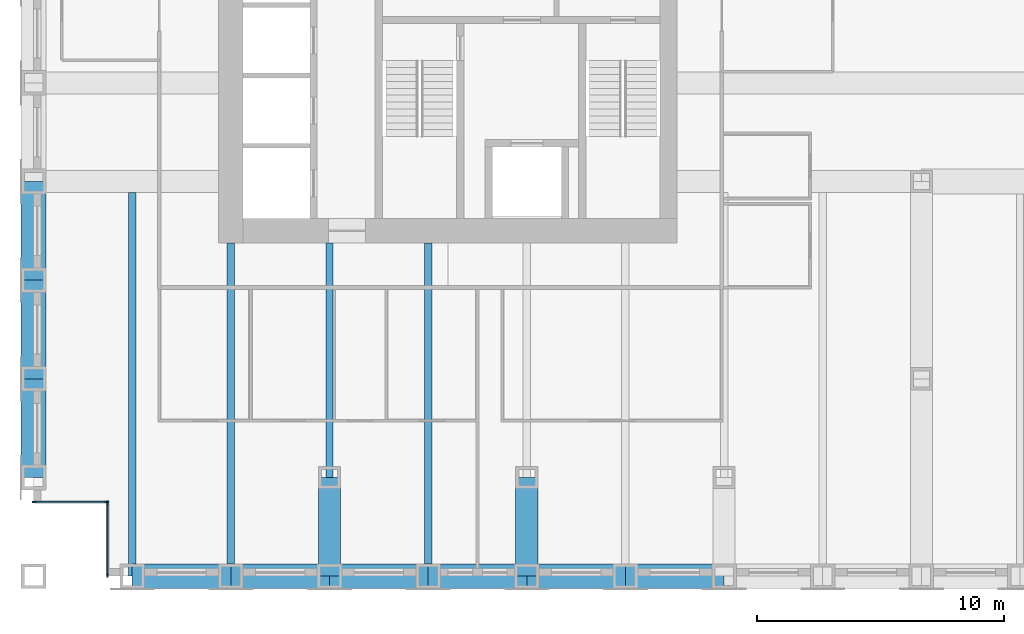
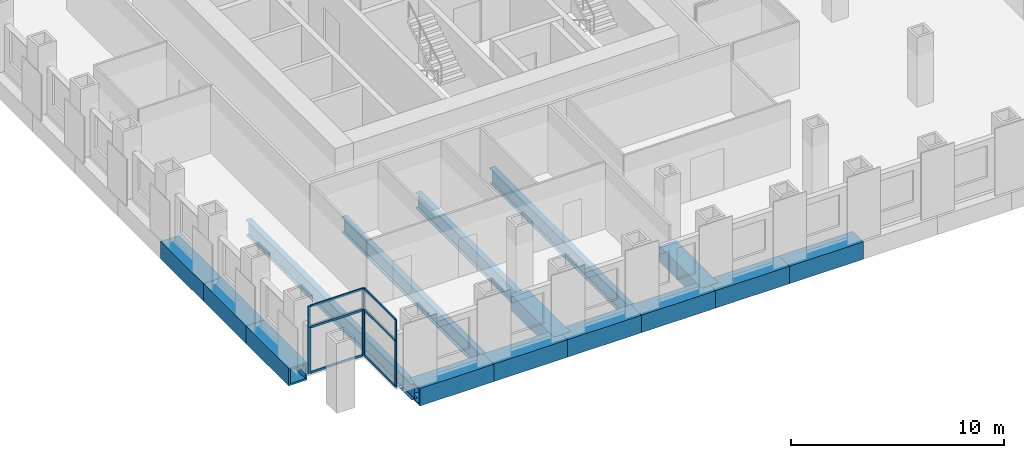
# One storey, part 2 of 16: 16 members, 15 beams, 4 elements without a shape of their own.
"""IFC4 building model written with IfcOpenShell, lengths in metres."""

from ifc_helpers import new_model, si_unit, direction, frame, origin, origin_2d, place, context, subcontext, project, spatial, rectangle, hollow_rectangle, i_section, extrude, material, material_profile, profile_set, type_object, element, aggregate, save


model = new_model("IFC4")

# Units and contexts
model_context = context("Model", 3, precision=1e-05, world=origin(), true_north=direction((0.0, 1.0)))
body_context = subcontext(model_context, "Body", "Model", "MODEL_VIEW")
ifc_project = project(units=[si_unit("LENGTHUNIT", "METRE"), si_unit("AREAUNIT", "SQUARE_METRE"), si_unit("VOLUMEUNIT", "CUBIC_METRE"), si_unit("PLANEANGLEUNIT", "RADIAN"), si_unit("MASSUNIT", "GRAM", prefix="KILO")], contexts=[model_context])

# Site, building, storey
site_placement = place(None, origin())
site = spatial("IfcSite", under=ifc_project, at=site_placement, CompositionType="ELEMENT")
building_placement = place(site_placement, origin())
building = spatial("IfcBuilding", under=site, at=building_placement, Name="Rimbunsela Tower", CompositionType="ELEMENT")
storey_placement = place(building_placement, frame((0.0, 0.0, 133.39990234375)))
storey = spatial("IfcBuildingStorey", under=building, at=storey_placement, Name="L32", CompositionType="ELEMENT", Elevation=133.39990234375)

# Beams
ifc_material_1 = material(Name="Steel BJ 55 (fy 410 MPa)", Category="steel")
ifc_material_profile_1 = material_profile(ifc_material_1, hollow_rectangle(XDim=1.0, YDim=1.0, WallThickness=0.10009765625, at=origin_2d()), Name="BOX 1000x1000x100")
ifc_profile_set_1 = profile_set([ifc_material_profile_1], Name="Steel BJ 55 (fy 410 MPa)")
beam_type_1 = type_object("IfcBeamType", Name="Beam BOX 1000x1000x100", PredefinedType="BEAM", material=ifc_profile_set_1)
for number, where, z_axis, x_axis, name in (
    (1, (10.0, 8.0, -0.64990234375), (0.0, 1.0, 0.0), (-1.0, 0.0, 0.0), "Beam B3 L32"),
    (2, (10.0, 12.0, -0.64990234375), (0.0, 1.0, 0.0), (-1.0, 0.0, 0.0), "Beam B3 L32"),
    (3, (10.0, 16.0, -0.64990234375), (0.0, 1.0, 0.0), (-1.0, 0.0, 0.0), "Beam B3 L32"),
    (4, (14.0, 4.0, -0.64990234375), (1.0, 0.0, 0.0), (0.0, 1.0, 0.0), "Beam B3 L32"),
    (5, (18.0, 4.0, -0.64990234375), (1.0, 0.0, 0.0), (0.0, 1.0, 0.0), "Beam B3 L32"),
    (6, (22.0, 4.0, -0.64990234375), (1.0, 0.0, 0.0), (0.0, 1.0, 0.0), "Beam B3 L32"),
    (7, (26.0, 4.0, -0.64990234375), (1.0, 0.0, 0.0), (0.0, 1.0, 0.0), "Beam B3 L32"),
    (8, (30.0, 4.0, -0.64990234375), (1.0, 0.0, 0.0), (0.0, 1.0, 0.0), "Beam B3 L32"),
    (9, (34.0, 4.0, -0.64990234375), (1.0, 0.0, 0.0), (0.0, 1.0, 0.0), "Beam B3 L32"),
):
    element("IfcBeam", number, at=place(storey_placement, frame(where, z_axis=z_axis, x_axis=x_axis)), inside=storey, type_object=beam_type_1, Name=name, PredefinedType="BEAM", context=body_context, shape_type="SweptSolid", body=[
        extrude(hollow_rectangle(XDim=1.0, YDim=1.0, WallThickness=0.10009765625, at=origin_2d()), origin(), (0.0, 0.0, 1.0), 4.0),
    ])
ifc_material_2 = material(Name="Steel BJ 55 (fy 410 MPa)", Category="steel")
ifc_material_profile_2 = material_profile(ifc_material_2, hollow_rectangle(XDim=0.89990234375, YDim=0.89990234375, WallThickness=0.06005859375, at=origin_2d()), Name="BOX 900x900x60")
ifc_profile_set_2 = profile_set([ifc_material_profile_2], Name="Steel BJ 55 (fy 410 MPa)")
beam_type_2 = type_object("IfcBeamType", Name="Beam BOX 900x900x60", PredefinedType="BEAM", material=ifc_profile_set_2)
for number, where, z_axis, x_axis, name in (
    (10, (22.0, 4.0, -0.599853515625), (0.0, 1.0, 0.0), (-1.0, 0.0, 0.0), "Beam B1 L32"),
    (11, (30.0, 4.0, -0.599853515625), (0.0, 1.0, 0.0), (-1.0, 0.0, 0.0), "Beam B1 L32"),
):
    element("IfcBeam", number, at=place(storey_placement, frame(where, z_axis=z_axis, x_axis=x_axis)), inside=storey, type_object=beam_type_2, Name=name, PredefinedType="BEAM", context=body_context, shape_type="SweptSolid", body=[
        extrude(hollow_rectangle(XDim=0.89990234375, YDim=0.89990234375, WallThickness=0.06005859375, at=origin_2d()), origin(), (0.0, 0.0, 1.0), 4.0),
    ])
ifc_material_3 = material(Name="Steel BJ 55 (fy 410 MPa)", Category="steel")
ifc_material_profile_3 = material_profile(ifc_material_3, i_section(OverallWidth=0.300048828125, OverallDepth=0.89990234375, WebThickness=0.01611328125, FlangeThickness=0.028076171875, FilletRadius=0.028076171875, at=origin_2d()), Name="H 900x300x16x28")
ifc_profile_set_3 = profile_set([ifc_material_profile_3], Name="Steel BJ 55 (fy 410 MPa)")
beam_type_3 = type_object("IfcBeamType", Name="Beam H 900x300x16x28", PredefinedType="BEAM", material=ifc_profile_set_3)
beam_1_placement = place(storey_placement, frame((14.0, 4.0, -0.599853515625), z_axis=(0.0, 1.0, 0.0), x_axis=(-1.0, 0.0, 0.0)))
element("IfcBeam", 12, at=beam_1_placement, inside=storey, type_object=beam_type_3, Name="Beam B2 L32", PredefinedType="BEAM", context=body_context, shape_type="SweptSolid", body=[
    extrude(i_section(OverallWidth=0.300048828125, OverallDepth=0.89990234375, WebThickness=0.01611328125, FlangeThickness=0.028076171875, FilletRadius=0.028076171875, at=origin_2d()), origin(), (0.0, 0.0, 1.0), 15.550048828125),
])
beam_2_placement = place(storey_placement, frame((18.0, 4.0, -0.599853515625), z_axis=(0.0, 1.0, 0.0), x_axis=(-1.0, 0.0, 0.0)))
element("IfcBeam", 13, at=beam_2_placement, inside=storey, type_object=beam_type_3, Name="Beam B2 L32", PredefinedType="BEAM", context=body_context, shape_type="SweptSolid", body=[
    extrude(i_section(OverallWidth=0.300048828125, OverallDepth=0.89990234375, WebThickness=0.01611328125, FlangeThickness=0.028076171875, FilletRadius=0.028076171875, at=origin_2d()), origin(), (0.0, 0.0, 1.0), 13.5),
])
beam_3_placement = place(storey_placement, frame((22.0, 8.0, -0.599853515625), z_axis=(0.0, 1.0, 0.0), x_axis=(-1.0, 0.0, 0.0)))
element("IfcBeam", 14, at=beam_3_placement, inside=storey, type_object=beam_type_3, Name="Beam B2 L32", PredefinedType="BEAM", context=body_context, shape_type="SweptSolid", body=[
    extrude(i_section(OverallWidth=0.300048828125, OverallDepth=0.89990234375, WebThickness=0.01611328125, FlangeThickness=0.028076171875, FilletRadius=0.028076171875, at=origin_2d()), origin(), (0.0, 0.0, 1.0), 9.5),
])
beam_4_placement = place(storey_placement, frame((26.0, 4.0, -0.599853515625), z_axis=(0.0, 1.0, 0.0), x_axis=(-1.0, 0.0, 0.0)))
element("IfcBeam", 15, at=beam_4_placement, inside=storey, type_object=beam_type_3, Name="Beam B2 L32", PredefinedType="BEAM", context=body_context, shape_type="SweptSolid", body=[
    extrude(i_section(OverallWidth=0.300048828125, OverallDepth=0.89990234375, WebThickness=0.01611328125, FlangeThickness=0.028076171875, FilletRadius=0.028076171875, at=origin_2d()), origin(), (0.0, 0.0, 1.0), 13.5),
])

# Curtain wall, members
ifc_material_4 = material(Name="Aluminium curtain wall", Category="aluminium")
curtain_wall_type_1 = type_object("IfcCurtainWallType", Name="Corner glazing", PredefinedType="USERDEFINED", material=ifc_material_4)
curtain_wall_1_placement = place(storey_placement, origin())
curtain_wall_1 = element("IfcCurtainWall", 16, at=curtain_wall_1_placement, inside=storey, type_object=curtain_wall_type_1, Name="Corner glazing L32", ObjectType="CORNER GLAZING", PredefinedType="USERDEFINED")
ifc_material_5 = material(Name="Aluminium mullion", Category="aluminium")
ifc_material_profile_4 = material_profile(ifc_material_5, rectangle(XDim=0.06005859375, YDim=0.159912109375, at=origin_2d()), Name="Mullion 60x160")
ifc_profile_set_4 = profile_set([ifc_material_profile_4], Name="Aluminium mullion")
member_type_1 = type_object("IfcMemberType", Name="Curtain wall mullion 60x160", PredefinedType="MULLION", material=ifc_profile_set_4)
member_1_placement = place(storey_placement, frame((10.030029296875, 7.0, 0.0), z_axis=(0.0, 0.0, 1.0), x_axis=(0.0, 1.0, 0.0)))
member_1 = element("IfcMember", 17, at=member_1_placement, type_object=member_type_1, Name="CW5 mullion 1", PredefinedType="MULLION", context=body_context, shape_type="SweptSolid", body=[
    extrude(rectangle(XDim=0.06005859375, YDim=0.159912109375, at=origin_2d()), origin(), (0.0, 0.0, 1.0), 2.650146484375),
])
member_2_placement = place(storey_placement, frame((12.969970703125, 7.0, 0.0), z_axis=(0.0, 0.0, 1.0), x_axis=(0.0, 1.0, 0.0)))
member_2 = element("IfcMember", 18, at=member_2_placement, type_object=member_type_1, Name="CW5 mullion 2", PredefinedType="MULLION", context=body_context, shape_type="SweptSolid", body=[
    extrude(rectangle(XDim=0.06005859375, YDim=0.159912109375, at=origin_2d()), origin(), (0.0, 0.0, 1.0), 2.650146484375),
])

ifc_material_6 = material(Name="Aluminium curtain wall", Category="aluminium")
curtain_wall_type_2 = type_object("IfcCurtainWallType", Name="Spandrel wall", PredefinedType="USERDEFINED", material=ifc_material_6)
curtain_wall_2_placement = place(storey_placement, origin())
curtain_wall_2 = element("IfcCurtainWall", 19, at=curtain_wall_2_placement, inside=storey, type_object=curtain_wall_type_2, Name="Spandrel wall L32", ObjectType="SPANDREL WALL", PredefinedType="USERDEFINED")
member_3_placement = place(storey_placement, frame((10.030029296875, 7.0, 2.650146484375), z_axis=(0.0, 0.0, 1.0), x_axis=(0.0, 1.0, 0.0)))
member_3 = element("IfcMember", 20, at=member_3_placement, type_object=member_type_1, Name="CW7 mullion 1", PredefinedType="MULLION", context=body_context, shape_type="SweptSolid", body=[
    extrude(rectangle(XDim=0.06005859375, YDim=0.159912109375, at=origin_2d()), origin(), (0.0, 0.0, 1.0), 1.199951171875),
])
member_4_placement = place(storey_placement, frame((12.969970703125, 7.0, 2.650146484375), z_axis=(0.0, 0.0, 1.0), x_axis=(0.0, 1.0, 0.0)))
member_4 = element("IfcMember", 21, at=member_4_placement, type_object=member_type_1, Name="CW7 mullion 2", PredefinedType="MULLION", context=body_context, shape_type="SweptSolid", body=[
    extrude(rectangle(XDim=0.06005859375, YDim=0.159912109375, at=origin_2d()), origin(), (0.0, 0.0, 1.0), 1.199951171875),
])

curtain_wall_3_placement = place(storey_placement, origin())
curtain_wall_3 = element("IfcCurtainWall", 22, at=curtain_wall_3_placement, inside=storey, type_object=curtain_wall_type_1, Name="Corner glazing L32", ObjectType="CORNER GLAZING", PredefinedType="USERDEFINED")
member_5_placement = place(storey_placement, frame((13.0, 6.969970703125, 0.0), z_axis=(0.0, 0.0, 1.0), x_axis=(1.0, 0.0, 0.0)))
member_5 = element("IfcMember", 23, at=member_5_placement, type_object=member_type_1, Name="CW5 mullion 1", PredefinedType="MULLION", context=body_context, shape_type="SweptSolid", body=[
    extrude(rectangle(XDim=0.06005859375, YDim=0.159912109375, at=origin_2d()), origin(), (0.0, 0.0, 1.0), 2.650146484375),
])
member_6_placement = place(storey_placement, frame((13.0, 4.030029296875, 0.0), z_axis=(0.0, 0.0, 1.0), x_axis=(1.0, 0.0, 0.0)))
member_6 = element("IfcMember", 24, at=member_6_placement, type_object=member_type_1, Name="CW5 mullion 2", PredefinedType="MULLION", context=body_context, shape_type="SweptSolid", body=[
    extrude(rectangle(XDim=0.06005859375, YDim=0.159912109375, at=origin_2d()), origin(), (0.0, 0.0, 1.0), 2.650146484375),
])

curtain_wall_4_placement = place(storey_placement, origin())
curtain_wall_4 = element("IfcCurtainWall", 25, at=curtain_wall_4_placement, inside=storey, type_object=curtain_wall_type_2, Name="Spandrel wall L32", ObjectType="SPANDREL WALL", PredefinedType="USERDEFINED")
member_7_placement = place(storey_placement, frame((13.0, 6.969970703125, 2.650146484375), z_axis=(0.0, 0.0, 1.0), x_axis=(1.0, 0.0, 0.0)))
member_7 = element("IfcMember", 26, at=member_7_placement, type_object=member_type_1, Name="CW7 mullion 1", PredefinedType="MULLION", context=body_context, shape_type="SweptSolid", body=[
    extrude(rectangle(XDim=0.06005859375, YDim=0.159912109375, at=origin_2d()), origin(), (0.0, 0.0, 1.0), 1.199951171875),
])
member_8_placement = place(storey_placement, frame((13.0, 4.030029296875, 2.650146484375), z_axis=(0.0, 0.0, 1.0), x_axis=(1.0, 0.0, 0.0)))
member_8 = element("IfcMember", 27, at=member_8_placement, type_object=member_type_1, Name="CW7 mullion 2", PredefinedType="MULLION", context=body_context, shape_type="SweptSolid", body=[
    extrude(rectangle(XDim=0.06005859375, YDim=0.159912109375, at=origin_2d()), origin(), (0.0, 0.0, 1.0), 1.199951171875),
])

# Member
ifc_material_7 = material(Name="Aluminium transom", Category="aluminium")
ifc_material_profile_5 = material_profile(ifc_material_7, rectangle(XDim=0.06005859375, YDim=0.1201171875, at=origin_2d()), Name="Transom 60x120")
ifc_profile_set_5 = profile_set([ifc_material_profile_5], Name="Aluminium transom")
member_type_2 = type_object("IfcMemberType", Name="Curtain wall transom 60x120", PredefinedType="USERDEFINED", material=ifc_profile_set_5)
member_9_placement = place(storey_placement, frame((10.06005859375, 7.0, 0.030029296875), z_axis=(1.0, 0.0, 0.0), x_axis=(0.0, 1.0, 0.0)))
member_9 = element("IfcMember", 28, at=member_9_placement, type_object=member_type_2, Name="CW5 transom 1.1", ObjectType="TRANSOM", PredefinedType="USERDEFINED", context=body_context, shape_type="SweptSolid", body=[
    extrude(rectangle(XDim=0.06005859375, YDim=0.1201171875, at=origin_2d()), origin(), (0.0, 0.0, 1.0), 2.8798828125),
])

member_10_placement = place(storey_placement, frame((10.06005859375, 7.0, 2.6201171875), z_axis=(1.0, 0.0, 0.0), x_axis=(0.0, 1.0, 0.0)))
member_10 = element("IfcMember", 29, at=member_10_placement, type_object=member_type_2, Name="CW5 transom 1.2", ObjectType="TRANSOM", PredefinedType="USERDEFINED", context=body_context, shape_type="SweptSolid", body=[
    extrude(rectangle(XDim=0.06005859375, YDim=0.1201171875, at=origin_2d()), origin(), (0.0, 0.0, 1.0), 2.8798828125),
])

aggregate(curtain_wall_1, [member_1, member_2, member_9, member_10])

member_11_placement = place(storey_placement, frame((10.06005859375, 7.0, 2.68017578125), z_axis=(1.0, 0.0, 0.0), x_axis=(0.0, 1.0, 0.0)))
member_11 = element("IfcMember", 30, at=member_11_placement, type_object=member_type_2, Name="CW7 transom 1.1", ObjectType="TRANSOM", PredefinedType="USERDEFINED", context=body_context, shape_type="SweptSolid", body=[
    extrude(rectangle(XDim=0.06005859375, YDim=0.1201171875, at=origin_2d()), origin(), (0.0, 0.0, 1.0), 2.8798828125),
])

member_12_placement = place(storey_placement, frame((10.06005859375, 7.0, 3.820068359375), z_axis=(1.0, 0.0, 0.0), x_axis=(0.0, 1.0, 0.0)))
member_12 = element("IfcMember", 31, at=member_12_placement, type_object=member_type_2, Name="CW7 transom 1.2", ObjectType="TRANSOM", PredefinedType="USERDEFINED", context=body_context, shape_type="SweptSolid", body=[
    extrude(rectangle(XDim=0.06005859375, YDim=0.1201171875, at=origin_2d()), origin(), (0.0, 0.0, 1.0), 2.8798828125),
])

aggregate(curtain_wall_2, [member_3, member_4, member_11, member_12])

member_13_placement = place(storey_placement, frame((13.0, 6.93994140625, 0.030029296875), z_axis=(0.0, -1.0, 0.0), x_axis=(1.0, 0.0, 0.0)))
member_13 = element("IfcMember", 32, at=member_13_placement, type_object=member_type_2, Name="CW5 transom 1.1", ObjectType="TRANSOM", PredefinedType="USERDEFINED", context=body_context, shape_type="SweptSolid", body=[
    extrude(rectangle(XDim=0.06005859375, YDim=0.1201171875, at=origin_2d()), origin(), (0.0, 0.0, 1.0), 2.8798828125),
])

member_14_placement = place(storey_placement, frame((13.0, 6.93994140625, 2.6201171875), z_axis=(0.0, -1.0, 0.0), x_axis=(1.0, 0.0, 0.0)))
member_14 = element("IfcMember", 33, at=member_14_placement, type_object=member_type_2, Name="CW5 transom 1.2", ObjectType="TRANSOM", PredefinedType="USERDEFINED", context=body_context, shape_type="SweptSolid", body=[
    extrude(rectangle(XDim=0.06005859375, YDim=0.1201171875, at=origin_2d()), origin(), (0.0, 0.0, 1.0), 2.8798828125),
])

aggregate(curtain_wall_3, [member_5, member_6, member_13, member_14])

member_15_placement = place(storey_placement, frame((13.0, 6.93994140625, 2.68017578125), z_axis=(0.0, -1.0, 0.0), x_axis=(1.0, 0.0, 0.0)))
member_15 = element("IfcMember", 34, at=member_15_placement, type_object=member_type_2, Name="CW7 transom 1.1", ObjectType="TRANSOM", PredefinedType="USERDEFINED", context=body_context, shape_type="SweptSolid", body=[
    extrude(rectangle(XDim=0.06005859375, YDim=0.1201171875, at=origin_2d()), origin(), (0.0, 0.0, 1.0), 2.8798828125),
])

member_16_placement = place(storey_placement, frame((13.0, 6.93994140625, 3.820068359375), z_axis=(0.0, -1.0, 0.0), x_axis=(1.0, 0.0, 0.0)))
member_16 = element("IfcMember", 35, at=member_16_placement, type_object=member_type_2, Name="CW7 transom 1.2", ObjectType="TRANSOM", PredefinedType="USERDEFINED", context=body_context, shape_type="SweptSolid", body=[
    extrude(rectangle(XDim=0.06005859375, YDim=0.1201171875, at=origin_2d()), origin(), (0.0, 0.0, 1.0), 2.8798828125),
])

aggregate(curtain_wall_4, [member_7, member_8, member_15, member_16])

save(model, "model.ifc")
